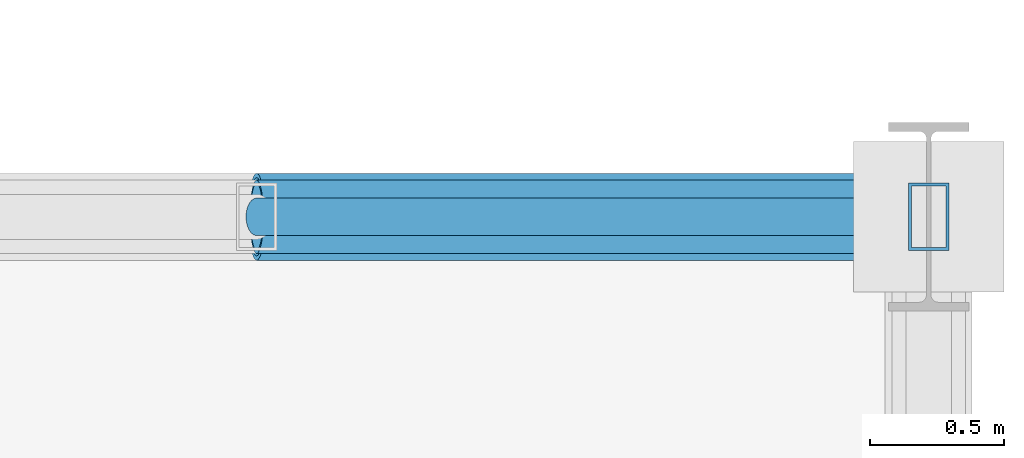
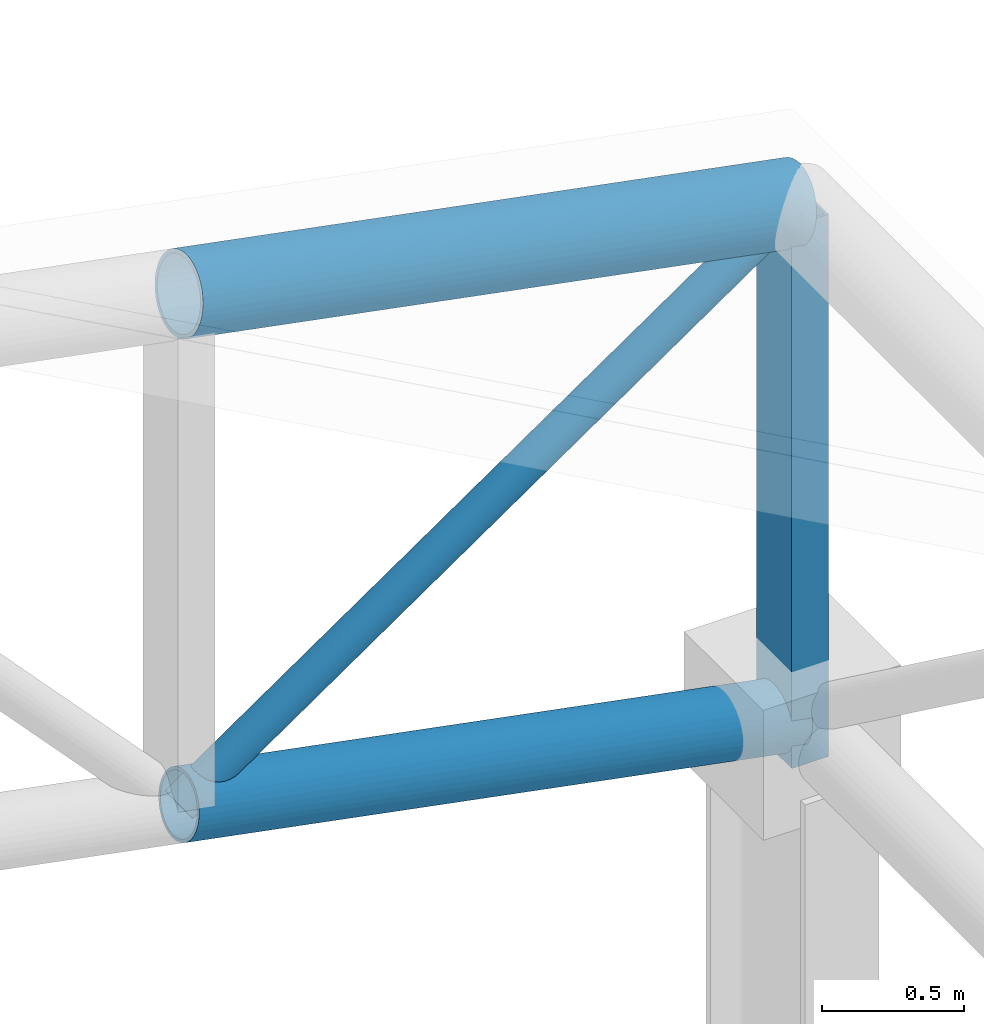
# One storey, part 80 of 112: 4 members.
"""IFC4 building model written with IfcOpenShell, lengths in metres."""

from ifc_helpers import new_model, si_unit, direction, frame, origin, origin_2d, place, context, subcontext, project, spatial, hollow_rectangle, hollow_circle, extrude, material, material_profile, profile_set, type_object, element, save


model = new_model("IFC4")

# Units and contexts
model_context = context("Model", 3, precision=1e-05, world=origin(), true_north=direction((0.0, 1.0)))
body_context = subcontext(model_context, "Body", "Model", "MODEL_VIEW")
ifc_project = project(units=[si_unit("LENGTHUNIT", "METRE"), si_unit("AREAUNIT", "SQUARE_METRE"), si_unit("VOLUMEUNIT", "CUBIC_METRE"), si_unit("PLANEANGLEUNIT", "RADIAN"), si_unit("MASSUNIT", "GRAM", prefix="KILO")], contexts=[model_context])

# Site, building, storey
site_placement = place(None, origin())
site = spatial("IfcSite", under=ifc_project, at=site_placement, CompositionType="ELEMENT")
building_placement = place(site_placement, origin())
building = spatial("IfcBuilding", under=site, at=building_placement, Name="Kaldris Quays Convention Centre", CompositionType="ELEMENT")
storey_placement = place(building_placement, frame((0.0, 0.0, 16.800048828125)))
storey = spatial("IfcBuildingStorey", under=building, at=storey_placement, Name="L03", CompositionType="ELEMENT", Elevation=16.800048828125)

# Members
ifc_material = material(Name="Steel S355J2H", Category="steel")
ifc_material_profile_1 = material_profile(ifc_material, hollow_circle(Radius=0.161865234375, WallThickness=0.01611328125, at=origin_2d()), Name="CHS 323.9x16")
ifc_profile_set_1 = profile_set([ifc_material_profile_1], Name="Steel S355J2H")
member_type_1 = type_object("IfcMemberType", Name="STRUCTURAL MEMBER SC03", PredefinedType="CHORD", material=ifc_profile_set_1)
member_1_placement = place(storey_placement, frame((201.5, 104.0, 7.812744140625), z_axis=(0.981903710383, 0.0, -0.189380842579), x_axis=(0.0, 1.0, 0.0)))
element("IfcMember", 1, at=member_1_placement, inside=storey, type_object=member_type_1, Name="SF-V2 Top Chord X 75", PredefinedType="CHORD", context=body_context, shape_type="SweptSolid", body=[
    extrude(hollow_circle(Radius=0.161865234375, WallThickness=0.01611328125, at=origin_2d()), origin(), (0.0, 0.0, 1.0), 2.546142578125),
])
ifc_material_profile_2 = material_profile(ifc_material, hollow_circle(Radius=0.136474609375, WallThickness=0.012451171875, at=origin_2d()), Name="CHS 273x12.5")
ifc_profile_set_2 = profile_set([ifc_material_profile_2], Name="Steel S355J2H")
member_type_2 = type_object("IfcMemberType", Name="STRUCTURAL MEMBER SC04", PredefinedType="CHORD", material=ifc_profile_set_2)
member_2_placement = place(storey_placement, frame((201.5, 104.0, 5.612548828125), z_axis=(0.981903710383, 0.0, -0.189380842579), x_axis=(0.0, 1.0, 0.0)))
element("IfcMember", 2, at=member_2_placement, inside=storey, type_object=member_type_2, Name="SF-V2 Bottom Chord X 75", PredefinedType="CHORD", context=body_context, shape_type="SweptSolid", body=[
    extrude(hollow_circle(Radius=0.136474609375, WallThickness=0.012451171875, at=origin_2d()), origin(), (0.0, 0.0, 1.0), 2.546142578125),
])
ifc_material_profile_3 = material_profile(ifc_material, hollow_circle(Radius=0.06982421875, WallThickness=0.00634765625, at=origin_2d()), Name="CHS 139.7x6.3")
ifc_profile_set_3 = profile_set([ifc_material_profile_3], Name="Steel S355J2H")
member_type_3 = type_object("IfcMemberType", Name="STRUCTURAL MEMBER SWB4", PredefinedType="BRACE", material=ifc_profile_set_3)
member_3_placement = place(storey_placement, frame((201.5, 104.0, 5.612548828125), z_axis=(0.824154627976, 0.0, 0.566364855182), x_axis=(0.0, 1.0, 0.0)))
element("IfcMember", 3, at=member_3_placement, inside=storey, type_object=member_type_3, Name="SF-V2 Web Diagonal X 75", PredefinedType="BRACE", context=body_context, shape_type="SweptSolid", body=[
    extrude(hollow_circle(Radius=0.06982421875, WallThickness=0.00634765625, at=origin_2d()), origin(), (0.0, 0.0, 1.0), 3.033447265625),
])
ifc_material_profile_4 = material_profile(ifc_material, hollow_rectangle(XDim=0.14990234375, YDim=0.25, WallThickness=0.010009765625, at=origin_2d()), Name="RHS 250x150x10")
ifc_profile_set_4 = profile_set([ifc_material_profile_4], Name="Steel S355J2H")
member_type_4 = type_object("IfcMemberType", Name="STRUCTURAL MEMBER TTV1", PredefinedType="POST", material=ifc_profile_set_4)
member_4_placement = place(storey_placement, frame((204.0, 104.0, 4.993896484375), z_axis=(0.0, 0.0, 1.0), x_axis=(1.0, 0.0, 0.0)))
element("IfcMember", 4, at=member_4_placement, inside=storey, type_object=member_type_4, Name="SF-V2 Space-Frame Post 140", PredefinedType="POST", context=body_context, shape_type="SweptSolid", body=[
    extrude(hollow_rectangle(XDim=0.14990234375, YDim=0.25, WallThickness=0.010009765625, at=origin_2d()), origin(), (0.0, 0.0, 1.0), 2.336669921875),
])

save(model, "model.ifc")
